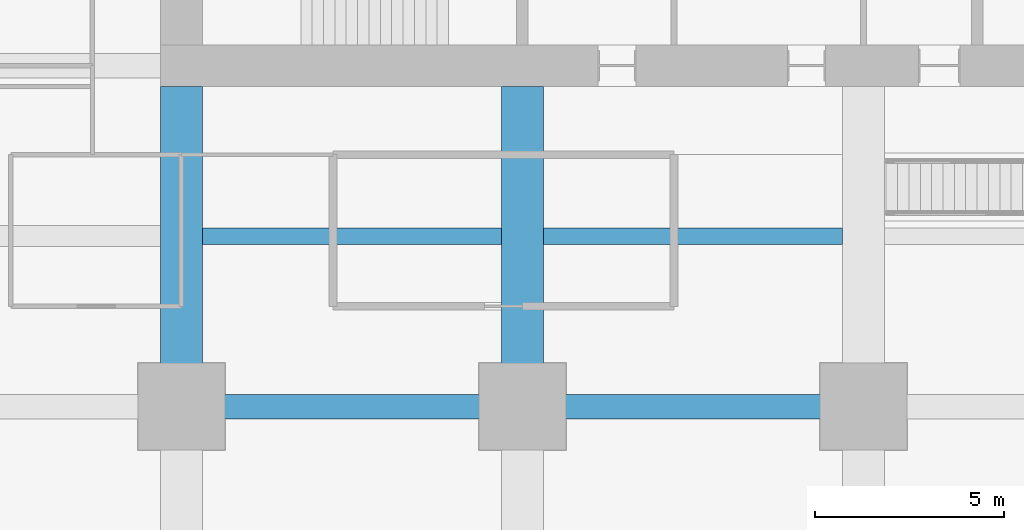
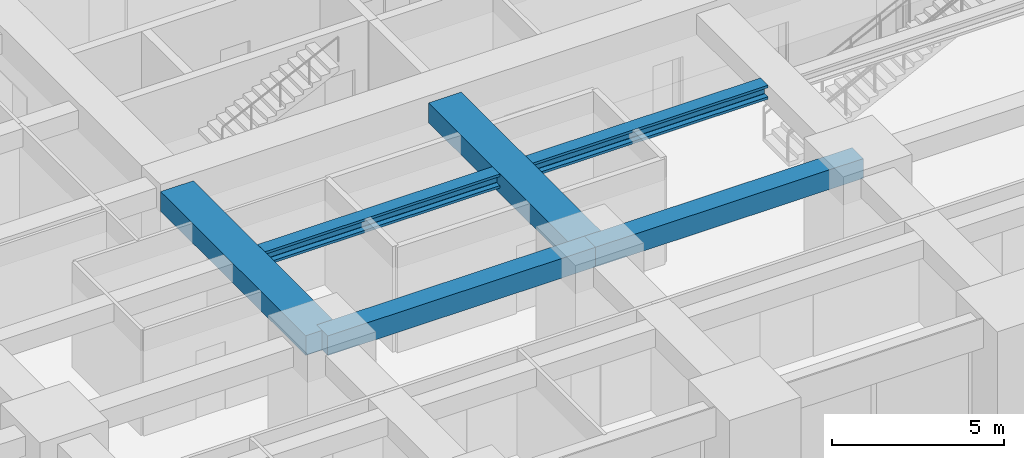
# One storey, part 8 of 45: 6 beams.
"""IFC4 building model written with IfcOpenShell, lengths in metres."""

from ifc_helpers import new_model, si_unit, direction, frame, origin, origin_2d, place, context, subcontext, project, spatial, rectangle, i_section, extrude, material, material_profile, profile_set, type_object, element, save


model = new_model("IFC4")

# Units and contexts
model_context = context("Model", 3, precision=1e-05, world=origin(), true_north=direction((0.0, 1.0)))
body_context = subcontext(model_context, "Body", "Model", "MODEL_VIEW")
ifc_project = project(units=[si_unit("LENGTHUNIT", "METRE"), si_unit("AREAUNIT", "SQUARE_METRE"), si_unit("VOLUMEUNIT", "CUBIC_METRE"), si_unit("PLANEANGLEUNIT", "RADIAN"), si_unit("MASSUNIT", "GRAM", prefix="KILO")], contexts=[model_context])

# Site, building, storey
site_placement = place(None, origin())
site = spatial("IfcSite", under=ifc_project, at=site_placement, CompositionType="ELEMENT")
building_placement = place(site_placement, origin())
building = spatial("IfcBuilding", under=site, at=building_placement, Name="Zorevar Civic Tower", CompositionType="ELEMENT")
storey_placement = place(building_placement, frame((0.0, 0.0, 23.800048828125)))
storey = spatial("IfcBuildingStorey", under=building, at=storey_placement, Name="L05", CompositionType="ELEMENT", Elevation=23.800048828125)

# Beams
ifc_material_1 = material(Name="Concrete C50/60", Category="concrete")
ifc_material_profile_1 = material_profile(ifc_material_1, rectangle(XDim=1.10009765625, YDim=0.699951171875, at=origin_2d()), Name="RC 1100x700")
ifc_profile_set_1 = profile_set([ifc_material_profile_1], Name="Concrete C50/60")
beam_type_1 = type_object("IfcBeamType", Name="Beam RC 1100x700", PredefinedType="BEAM", material=ifc_profile_set_1)
for number, where, z_axis, x_axis, name in (
    (1, (18.0, 9.0, 3.39990234375), (0.0, 1.0, 0.0), (-1.0, 0.0, 0.0), "Girder L06"),
    (2, (27.0, 9.0, 3.39990234375), (0.0, 1.0, 0.0), (-1.0, 0.0, 0.0), "Girder L06"),
):
    element("IfcBeam", number, at=place(storey_placement, frame(where, z_axis=z_axis, x_axis=x_axis)), inside=storey, type_object=beam_type_1, Name=name, PredefinedType="BEAM", context=body_context, shape_type="SweptSolid", body=[
        extrude(rectangle(XDim=1.10009765625, YDim=0.699951171875, at=origin_2d()), origin(), (0.0, 0.0, 1.0), 8.449951171875),
    ])
ifc_material_2 = material(Name="Concrete C50/60", Category="concrete")
ifc_material_profile_2 = material_profile(ifc_material_2, rectangle(XDim=0.64990234375, YDim=0.699951171875, at=origin_2d()), Name="RC 650x700")
ifc_profile_set_2 = profile_set([ifc_material_profile_2], Name="Concrete C50/60")
beam_type_2 = type_object("IfcBeamType", Name="Beam RC 650x700", PredefinedType="BEAM", material=ifc_profile_set_2)
for number, where, z_axis, x_axis, name in (
    (3, (18.0, 9.0, 3.39990234375), (1.0, 0.0, 0.0), (0.0, 1.0, 0.0), "Girder L06"),
    (4, (27.0, 9.0, 3.39990234375), (1.0, 0.0, 0.0), (0.0, 1.0, 0.0), "Girder L06"),
):
    element("IfcBeam", number, at=place(storey_placement, frame(where, z_axis=z_axis, x_axis=x_axis)), inside=storey, type_object=beam_type_2, Name=name, PredefinedType="BEAM", context=body_context, shape_type="SweptSolid", body=[
        extrude(rectangle(XDim=0.64990234375, YDim=0.699951171875, at=origin_2d()), origin(), (0.0, 0.0, 1.0), 9.0),
    ])
ifc_material_3 = material(Name="Steel S460M (HISTAR 460)", Category="steel")
ifc_material_profile_3 = material_profile(ifc_material_3, i_section(OverallWidth=0.431884765625, OverallDepth=0.498046875, WebThickness=0.0556640625, FlangeThickness=0.0888671875, FilletRadius=0.014892578125, at=origin_2d()), Name="HD 400x744")
ifc_profile_set_3 = profile_set([ifc_material_profile_3], Name="Steel S460M (HISTAR 460)")
beam_type_3 = type_object("IfcBeamType", Name="Core bay beam HD 400x744", PredefinedType="BEAM", material=ifc_profile_set_3)
for number, where, z_axis, x_axis, name in (
    (5, (18.550048828125, 13.5, 3.5009765625), (1.0, 0.0, 0.0), (0.0, 1.0, 0.0), "Secondary beam L06"),
    (6, (27.550048828125, 13.5, 3.5009765625), (1.0, 0.0, 0.0), (0.0, 1.0, 0.0), "Secondary beam L06"),
):
    element("IfcBeam", number, at=place(storey_placement, frame(where, z_axis=z_axis, x_axis=x_axis)), inside=storey, type_object=beam_type_3, Name=name, PredefinedType="BEAM", context=body_context, shape_type="SweptSolid", body=[
        extrude(i_section(OverallWidth=0.431884765625, OverallDepth=0.498046875, WebThickness=0.0556640625, FlangeThickness=0.0888671875, FilletRadius=0.014892578125, at=origin_2d()), origin(), (0.0, 0.0, 1.0), 7.89990234375),
    ])

save(model, "model.ifc")
